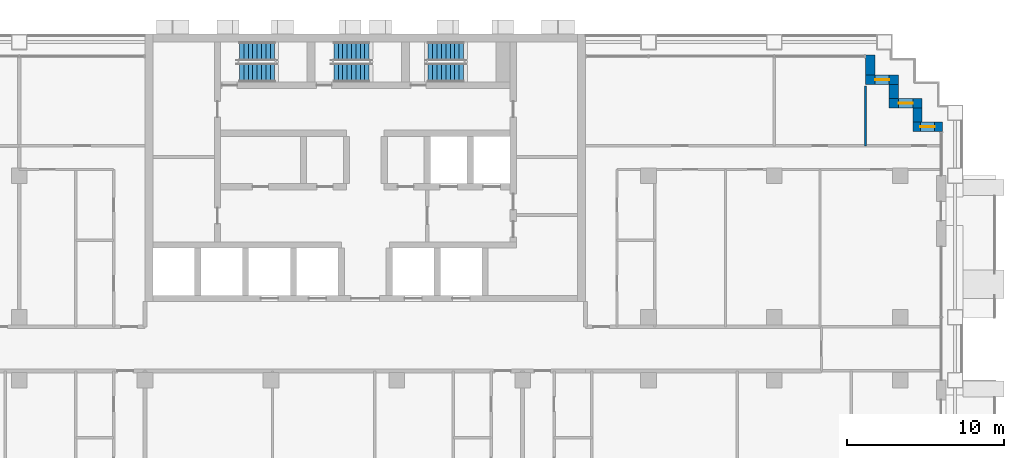
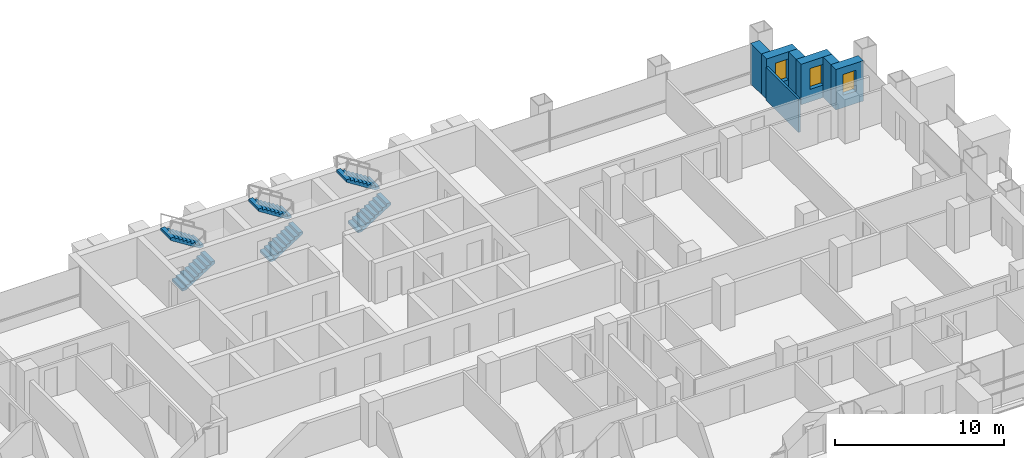
# One storey, part 14 of 18: 7 walls, 6 stair flights, 3 windows, 3 openings, 3 elements without a shape of their own.
"""IFC4 building model written with IfcOpenShell, lengths in metres."""

import ifcopenshell
import ifcopenshell.guid

model = None  # the IFC model being written
_history = None  # IfcOwnerHistory: only IFC2X3 demands one
_inside = {}  # id of a spatial element -> (the spatial element, [elements in it])
_under = {}  # id of a project, library or spatial element -> (it, [spatial elements below it])
_declared = {}  # id of a project -> (the project, [libraries it declares])
_typed = {}  # id of a type object -> (the type object, [elements of that type])
_made_of = {}  # id of a material, layer set ... -> (it, [elements and type objects made of it])


def new_model(schema):
    """Start an empty IFC model of exactly this schema.

    Asked for "IFC4X3", IfcOpenShell would pick the latest addendum, in which some entities
    have other attributes; the version numbers below select the first issue.
    IFC2X3 requires an IfcOwnerHistory on every rooted entity: one is made here for all.
    """
    global model, _history
    if schema == "IFC4X3":
        model = ifcopenshell.file(schema_version=(4, 3, 0, 0))
    else:
        model = ifcopenshell.file(schema=schema)
    _inside.clear()
    _under.clear()
    _declared.clear()
    _typed.clear()
    _made_of.clear()
    _history = None
    if model.schema == "IFC2X3":
        org = make("IfcOrganization", Name="unknown")
        user = make(
            "IfcPersonAndOrganization",
            ThePerson=make("IfcPerson", FamilyName="unknown"),
            TheOrganization=org,
        )
        app = make(
            "IfcApplication",
            ApplicationDeveloper=org,
            Version="unknown",
            ApplicationFullName="unknown",
            ApplicationIdentifier="unknown",
        )
        _history = make(
            "IfcOwnerHistory",
            OwningUser=user,
            OwningApplication=app,
            ChangeAction="ADDED",
            CreationDate=0,
        )
    return model


def make(cls, **values):
    """One entity of the class cls with the attributes given. An attribute that is None is left unset."""
    return model.create_entity(
        cls, **{name: value for name, value in values.items() if value is not None}
    )


def rooted(cls, **values):
    """An entity with a GlobalId (a new one), such as an element, a storey or a relation."""
    return make(cls, GlobalId=ifcopenshell.guid.new(), OwnerHistory=_history, **values)


def si_unit(unit_type, name, prefix=None):
    """IfcSIUnit, for example si_unit("LENGTHUNIT", "METRE", prefix="MILLI")."""
    return make("IfcSIUnit", UnitType=unit_type, Prefix=prefix, Name=name)


def assignment(units):
    """IfcUnitAssignment: the units of a project."""
    return None if units is None else make("IfcUnitAssignment", Units=units)


def point(xyz):
    """IfcCartesianPoint."""
    return None if xyz is None else make("IfcCartesianPoint", Coordinates=xyz)


def direction(xyz):
    """IfcDirection."""
    return None if xyz is None else make("IfcDirection", DirectionRatios=xyz)


def frame(location, z_axis=None, x_axis=None):
    """IfcAxis2Placement3D, a coordinate frame: its origin and axes. An axis left out is left unset."""
    return make(
        "IfcAxis2Placement3D",
        Location=point(location),
        Axis=direction(z_axis),
        RefDirection=direction(x_axis),
    )


def frame_2d(location, x_axis=None):
    """IfcAxis2Placement2D, a coordinate frame in the plane: its origin and x axis."""
    return make(
        "IfcAxis2Placement2D", Location=point(location), RefDirection=direction(x_axis)
    )


def origin():
    """The frame at (0, 0, 0) with its axes left unset."""
    return frame((0.0, 0.0, 0.0))


def place(relative_to, where):
    """IfcLocalPlacement: puts the frame where relative to a parent placement (None: the world)."""
    return make(
        "IfcLocalPlacement", PlacementRelTo=relative_to, RelativePlacement=where
    )


def context(
    kind, dimensions, precision=None, world=None, true_north=None, identifier=None
):
    """IfcGeometricRepresentationContext, for example the 3D "Model" context."""
    return make(
        "IfcGeometricRepresentationContext",
        ContextIdentifier=identifier,
        ContextType=kind,
        CoordinateSpaceDimension=dimensions,
        Precision=precision,
        WorldCoordinateSystem=world,
        TrueNorth=true_north,
    )


def subcontext(parent, identifier, kind, view, scale=None):
    """IfcGeometricRepresentationSubContext, for example "Body" below "Model"."""
    return make(
        "IfcGeometricRepresentationSubContext",
        ContextIdentifier=identifier,
        ContextType=kind,
        ParentContext=parent,
        TargetScale=scale,
        TargetView=view,
    )


def project(units=None, contexts=None):
    """IfcProject with its units and contexts."""
    return rooted(
        "IfcProject",
        Name="project",
        RepresentationContexts=contexts,
        UnitsInContext=assignment(units),
    )


def spatial(cls, under=None, at=None, **own):
    """A site, building, storey or space (cls), placed at a placement, below another one or the project."""
    s = rooted(cls, ObjectPlacement=at, **own)
    if under is not None:
        _under.setdefault(under.id(), (under, []))[1].append(s)
    return s


def polyline(points):
    """IfcPolyline through the points."""
    return make("IfcPolyline", Points=[point(p) for p in points])


def profile(cls, at=None, kind="AREA", **sizes):
    """A parametric profile (cls). Its sizes go by their IFC names, for example OverallWidth=200.0."""
    return make(cls, ProfileType=kind, Position=at, **sizes)


def rectangle(**sizes):
    """IfcRectangleProfileDef."""
    return profile("IfcRectangleProfileDef", **sizes)


def outline(outer, holes=None, kind="AREA"):
    """IfcArbitraryClosedProfileDef: a profile drawn as a closed curve; with holes, ...WithVoids."""
    if holes is None:
        return make("IfcArbitraryClosedProfileDef", ProfileType=kind, OuterCurve=outer)
    return make(
        "IfcArbitraryProfileDefWithVoids",
        ProfileType=kind,
        OuterCurve=outer,
        InnerCurves=holes,
    )


def extrude(swept, where, along, depth):
    """IfcExtrudedAreaSolid: the profile swept, set in the frame where, extruded along a direction by depth."""
    return make(
        "IfcExtrudedAreaSolid",
        SweptArea=swept,
        Position=where,
        ExtrudedDirection=direction(along),
        Depth=depth,
    )


def shape(context_of_items, identifier, shape_type, items):
    """IfcShapeRepresentation: the items that make up one representation, for example the "Body"."""
    return make(
        "IfcShapeRepresentation",
        ContextOfItems=context_of_items,
        RepresentationIdentifier=identifier,
        RepresentationType=shape_type,
        Items=items,
    )


def material(Name=None, Category=None):
    """IfcMaterial."""
    return make("IfcMaterial", Name=Name, Category=Category)


def layer(
    of_material, thickness, ventilated=None, Name=None, Category=None, Priority=None
):
    """IfcMaterialLayer: one layer of a wall or slab, of a material (None: an air gap)."""
    return make(
        "IfcMaterialLayer",
        Material=of_material,
        LayerThickness=thickness,
        IsVentilated=ventilated,
        Name=Name,
        Category=Category,
        Priority=Priority,
    )


def layer_set(layers, Name=None):
    """IfcMaterialLayerSet."""
    return make("IfcMaterialLayerSet", MaterialLayers=layers, LayerSetName=Name)


def made_of(thing, what):
    """Note that an element or type object is made of a material, layer set ...; save() writes the relation."""
    if what is not None:
        _made_of.setdefault(what.id(), (what, []))[1].append(thing)
    return thing


def type_object(cls, material=None, **own):
    """A type object (cls), such as IfcWallType, which elements share."""
    return made_of(rooted(cls, **own), material)


def element(
    cls,
    number,
    at=None,
    inside=None,
    cuts=None,
    type_object=None,
    material=None,
    context=None,
    identifier="Body",
    shape_type=None,
    held_by="IfcProductDefinitionShape",
    body=None,
    shapes=None,
    **own,
):
    """One element of the class cls, such as IfcWall. Its Tag is "e" and its number.

    at: its placement. inside: the storey or other place that contains it. cuts: it is an
    opening in that element (IfcRelVoidsElement). A single representation is given by context,
    identifier, shape_type and body (its items); several are given by shapes. held_by: the class
    of the entity that holds the representations. save() writes the other relations.
    """
    e = rooted(cls, Tag="e%d" % number, ObjectPlacement=at, **own)
    if body is not None:
        shapes = [shape(context, identifier, shape_type, body)]
    if shapes is not None:
        e.Representation = make(held_by, Representations=shapes)
    if inside is not None:
        _inside.setdefault(inside.id(), (inside, []))[1].append(e)
    if cuts is not None:
        rooted(
            "IfcRelVoidsElement", RelatingBuildingElement=cuts, RelatedOpeningElement=e
        )
    if type_object is not None:
        _typed.setdefault(type_object.id(), (type_object, []))[1].append(e)
    return made_of(e, material)


def fill(opening, filler):
    """IfcRelFillsElement: the door or window that sits in an opening."""
    return rooted(
        "IfcRelFillsElement",
        RelatingOpeningElement=opening,
        RelatedBuildingElement=filler,
    )


def aggregate(whole, parts):
    """IfcRelAggregates: a whole, such as a stair, and the parts it consists of."""
    return rooted("IfcRelAggregates", RelatingObject=whole, RelatedObjects=parts)


def save(model, path):
    """Write the relations noted so far, then the file.

    IfcRelAggregates (storeys below a building ...), IfcRelContainedInSpatialStructure (elements
    in a storey), IfcRelDefinesByType, IfcRelAssociatesMaterial and IfcRelDeclares: one each for
    every whole, place, type object, material and project.
    """
    for whole, parts in _under.values():
        aggregate(whole, parts)
    for where, things in _inside.values():
        rooted(
            "IfcRelContainedInSpatialStructure",
            RelatedElements=things,
            RelatingStructure=where,
        )
    for kind, things in _typed.values():
        rooted("IfcRelDefinesByType", RelatedObjects=things, RelatingType=kind)
    for what, things in _made_of.values():
        rooted("IfcRelAssociatesMaterial", RelatedObjects=things, RelatingMaterial=what)
    for by, libraries in _declared.values():
        rooted("IfcRelDeclares", RelatingContext=by, RelatedDefinitions=libraries)
    model.write(path)


model = new_model("IFC4")

# Units and contexts
model_context = context("Model", 3, precision=1e-05, world=origin(), true_north=direction((0.0, 1.0)))
body_context = subcontext(model_context, "Body", "Model", "MODEL_VIEW")
ifc_project = project(units=[si_unit("LENGTHUNIT", "METRE"), si_unit("AREAUNIT", "SQUARE_METRE"), si_unit("VOLUMEUNIT", "CUBIC_METRE"), si_unit("PLANEANGLEUNIT", "RADIAN"), si_unit("MASSUNIT", "GRAM", prefix="KILO")], contexts=[model_context])

# Site, building, storey
site_placement = place(None, origin())
site = spatial("IfcSite", under=ifc_project, at=site_placement, CompositionType="ELEMENT")
building_placement = place(site_placement, origin())
building = spatial("IfcBuilding", under=site, at=building_placement, Name="Vidyagriha Tower", CompositionType="ELEMENT")
storey_placement = place(building_placement, frame((0.0, 0.0, 54.39990234375)))
storey = spatial("IfcBuildingStorey", under=building, at=storey_placement, Name="L14", CompositionType="ELEMENT", Elevation=54.39990234375)

# Wall, opening, window
ifc_material_1 = material(Name="Precast concrete C40/50 with brick facing", Category="concrete")
ifc_layer_1 = layer(ifc_material_1, 0.60009765625)
ifc_layer_set_1 = layer_set([ifc_layer_1], Name="Precast concrete C40/50 with brick facing")
wall_type_1 = type_object("IfcWallType", Name="Brick-faced precast wall 600", PredefinedType="STANDARD", material=ifc_layer_set_1)
wall_1_placement = place(storey_placement, frame((36.679931640625, 14.10009765625, 0.0), z_axis=(0.0, 0.0, 1.0), x_axis=(-1.0, 0.0, 0.0)))
wall_1 = element("IfcWall", 1, at=wall_1_placement, inside=storey, type_object=wall_type_1, Name="Stepped corner wall L14 R01", PredefinedType="STANDARD", context=body_context, shape_type="SweptSolid", body=[
    extrude(rectangle(XDim=1.8798828125, YDim=0.60009765625, at=frame_2d((0.93994140625, 0.0))), origin(), (0.0, 0.0, 1.0), 2.920166015625),
])
opening_1_placement = place(wall_1_placement, frame((0.489990234375, 0.0, 0.89990234375)))
opening_1 = element("IfcOpeningElement", 2, at=opening_1_placement, cuts=wall_1, Name="Opening WN1", PredefinedType="OPENING", context=body_context, shape_type="SweptSolid", body=[
    extrude(rectangle(XDim=0.89990234375, YDim=1.5, at=frame_2d((0.449951171875, 0.75))), frame((0.0, 0.31005859375, 0.0), z_axis=(0.0, -1.0, 0.0), x_axis=(1.0, 0.0, 0.0)), (0.0, 0.0, 1.0), 0.6201171875),
])
ifc_material_2 = material(Name="Aluminium and glass window", Category="aluminium")
window_type = type_object("IfcWindowType", Name="Reveal window 900x1500", PartitioningType="NOTDEFINED", PredefinedType="WINDOW", material=ifc_material_2)
window_1_placement = place(opening_1_placement, origin())
window_1 = element("IfcWindow", 3, at=window_1_placement, inside=storey, type_object=window_type, Name="Reveal window L14 R01", OverallHeight=1.5, OverallWidth=0.89990234375, PartitioningType="SINGLE_PANEL", PredefinedType="WINDOW", context=body_context, shape_type="SweptSolid", body=[
    extrude(rectangle(XDim=0.89990234375, YDim=1.5, at=frame_2d((0.449951171875, 0.75))), frame((0.0, 0.030029296875, 0.0), z_axis=(0.0, -1.0, 0.0), x_axis=(1.0, 0.0, 0.0)), (0.0, 0.0, 1.0), 0.06005859375),
])
fill(opening_1, window_1)

# Wall
wall_2_placement = place(storey_placement, frame((35.10009765625, 14.39990234375, 0.0), z_axis=(0.0, 0.0, 1.0), x_axis=(0.0, 1.0, 0.0)))
element("IfcWall", 4, at=wall_2_placement, inside=storey, type_object=wall_type_1, Name="Stepped corner wall L14 R02", PredefinedType="STANDARD", context=body_context, shape_type="SweptSolid", body=[
    extrude(rectangle(XDim=0.900146484375, YDim=0.60009765625, at=frame_2d((0.4501953125, 0.0))), origin(), (0.0, 0.0, 1.0), 2.920166015625),
])

# Wall, opening, window
wall_3_placement = place(storey_placement, frame((35.39990234375, 15.60009765625, 0.0), z_axis=(0.0, 0.0, 1.0), x_axis=(-1.0, 0.0, 0.0)))
wall_3 = element("IfcWall", 5, at=wall_3_placement, inside=storey, type_object=wall_type_1, Name="Stepped corner wall L14 R03", PredefinedType="STANDARD", context=body_context, shape_type="SweptSolid", body=[
    extrude(rectangle(XDim=2.099853515625, YDim=0.60009765625, at=frame_2d((1.0498046875, 0.0))), origin(), (0.0, 0.0, 1.0), 2.920166015625),
])
opening_2_placement = place(wall_3_placement, frame((0.60009765625, 0.0, 0.89990234375)))
opening_2 = element("IfcOpeningElement", 6, at=opening_2_placement, cuts=wall_3, Name="Opening WN1", PredefinedType="OPENING", context=body_context, shape_type="SweptSolid", body=[
    extrude(rectangle(XDim=0.89990234375, YDim=1.5, at=frame_2d((0.449951171875, 0.75))), frame((0.0, 0.31005859375, 0.0), z_axis=(0.0, -1.0, 0.0), x_axis=(1.0, 0.0, 0.0)), (0.0, 0.0, 1.0), 0.6201171875),
])
window_2_placement = place(opening_2_placement, origin())
window_2 = element("IfcWindow", 7, at=window_2_placement, inside=storey, type_object=window_type, Name="Reveal window L14 R03", OverallHeight=1.5, OverallWidth=0.89990234375, PartitioningType="SINGLE_PANEL", PredefinedType="WINDOW", context=body_context, shape_type="SweptSolid", body=[
    extrude(rectangle(XDim=0.89990234375, YDim=1.5, at=frame_2d((0.449951171875, 0.75))), frame((0.0, 0.030029296875, 0.0), z_axis=(0.0, -1.0, 0.0), x_axis=(1.0, 0.0, 0.0)), (0.0, 0.0, 1.0), 0.06005859375),
])
fill(opening_2, window_2)

# Wall
wall_4_placement = place(storey_placement, frame((33.60009765625, 15.89990234375, 0.0), z_axis=(0.0, 0.0, 1.0), x_axis=(0.0, 1.0, 0.0)))
element("IfcWall", 8, at=wall_4_placement, inside=storey, type_object=wall_type_1, Name="Stepped corner wall L14 R04", PredefinedType="STANDARD", context=body_context, shape_type="SweptSolid", body=[
    extrude(rectangle(XDim=0.900146484375, YDim=0.60009765625, at=frame_2d((0.4501953125, 0.0))), origin(), (0.0, 0.0, 1.0), 2.920166015625),
])

# Wall, opening, window
wall_5_placement = place(storey_placement, frame((33.89990234375, 17.10009765625, 0.0), z_axis=(0.0, 0.0, 1.0), x_axis=(-1.0, 0.0, 0.0)))
wall_5 = element("IfcWall", 9, at=wall_5_placement, inside=storey, type_object=wall_type_1, Name="Stepped corner wall L14 R05", PredefinedType="STANDARD", context=body_context, shape_type="SweptSolid", body=[
    extrude(rectangle(XDim=2.099853515625, YDim=0.60009765625, at=frame_2d((1.0498046875, 0.0))), origin(), (0.0, 0.0, 1.0), 2.920166015625),
])
opening_3_placement = place(wall_5_placement, frame((0.60009765625, 0.0, 0.89990234375)))
opening_3 = element("IfcOpeningElement", 10, at=opening_3_placement, cuts=wall_5, Name="Opening WN1", PredefinedType="OPENING", context=body_context, shape_type="SweptSolid", body=[
    extrude(rectangle(XDim=0.89990234375, YDim=1.5, at=frame_2d((0.449951171875, 0.75))), frame((0.0, 0.31005859375, 0.0), z_axis=(0.0, -1.0, 0.0), x_axis=(1.0, 0.0, 0.0)), (0.0, 0.0, 1.0), 0.6201171875),
])
window_3_placement = place(opening_3_placement, origin())
window_3 = element("IfcWindow", 11, at=window_3_placement, inside=storey, type_object=window_type, Name="Reveal window L14 R05", OverallHeight=1.5, OverallWidth=0.89990234375, PartitioningType="SINGLE_PANEL", PredefinedType="WINDOW", context=body_context, shape_type="SweptSolid", body=[
    extrude(rectangle(XDim=0.89990234375, YDim=1.5, at=frame_2d((0.449951171875, 0.75))), frame((0.0, 0.030029296875, 0.0), z_axis=(0.0, -1.0, 0.0), x_axis=(1.0, 0.0, 0.0)), (0.0, 0.0, 1.0), 0.06005859375),
])
fill(opening_3, window_3)

# Walls
wall_6_placement = place(storey_placement, frame((32.10009765625, 17.39990234375, 0.0), z_axis=(0.0, 0.0, 1.0), x_axis=(0.0, 1.0, 0.0)))
element("IfcWall", 12, at=wall_6_placement, inside=storey, type_object=wall_type_1, Name="Stepped corner wall L14 R06", PredefinedType="STANDARD", context=body_context, shape_type="SweptSolid", body=[
    extrude(rectangle(XDim=1.280029296875, YDim=0.60009765625, at=frame_2d((0.64013671875, 0.0))), origin(), (0.0, 0.0, 1.0), 2.920166015625),
])
ifc_material_3 = material(Name="Gypsum board partition")
ifc_layer_2 = layer(ifc_material_3, 0.14990234375)
ifc_layer_set_2 = layer_set([ifc_layer_2], Name="Gypsum board partition")
wall_type_2 = type_object("IfcWallType", Name="Gypsum board partition 150", PredefinedType="PARTITIONING", material=ifc_layer_set_2)
wall_7_placement = place(storey_placement, frame((31.800048828125, 16.719970703125, 0.0), z_axis=(0.0, 0.0, 1.0), x_axis=(0.0, -1.0, 0.0)))
element("IfcWall", 13, at=wall_7_placement, inside=storey, type_object=wall_type_2, Name="Wall all-L14-w120", PredefinedType="PARTITIONING", context=body_context, shape_type="SweptSolid", body=[
    extrude(rectangle(XDim=3.820068359375, YDim=0.14990234375, at=frame_2d((1.91015625, 0.0))), origin(), (0.0, 0.0, 1.0), 2.400146484375),
])

# Stair, stair flights
ifc_material_4 = material(Name="Concrete C40/50", Category="concrete")
stair_type = type_object("IfcStairType", Name="Exit stair, half-turn, precast flights", PredefinedType="HALF_TURN_STAIR", material=ifc_material_4)
stair_1_placement = place(storey_placement, origin())
stair_1 = element("IfcStair", 14, at=stair_1_placement, inside=storey, type_object=stair_type, Name="L14 Exit Stair ST1", PredefinedType="HALF_TURN_STAIR")
ifc_material_5 = material(Name="Precast concrete C40/50", Category="concrete")
stair_flight_type = type_object("IfcStairFlightType", Name="Exit stair flight 1200 mm, precast", PredefinedType="STRAIGHT", material=ifc_material_5)
stair_flight_1_placement = place(storey_placement, frame((-8.0, 17.550048828125, 0.0)))
stair_flight_1 = element("IfcStairFlight", 15, at=stair_flight_1_placement, type_object=stair_flight_type, Name="ST1 flight 1", NumberOfRisers=9, NumberOfTreads=8, PredefinedType="STRAIGHT", RiserHeight=0.177777778, TreadLength=0.28, context=body_context, shape_type="SweptSolid", body=[
    extrude(outline(polyline([(0.0, 0.0), (0.0, 0.177734375), (0.280029296875, 0.177734375), (0.280029296875, 0.35546875), (0.56005859375, 0.35546875), (0.56005859375, 0.533447265625), (0.840087890625, 0.533447265625), (0.840087890625, 0.711181640625), (1.1201171875, 0.711181640625), (1.1201171875, 0.888916015625), (1.39990234375, 0.888916015625), (1.39990234375, 1.066650390625), (1.679931640625, 1.066650390625), (1.679931640625, 1.244384765625), (1.9599609375, 1.244384765625), (1.9599609375, 1.422119140625), (2.239990234375, 1.422119140625), (2.239990234375, 1.60009765625), (2.239990234375, 1.24462890625), (0.27978515625, 0.0), (0.0, 0.0)])), frame((0.0, 0.60009765625, 0.0), z_axis=(0.0, -1.0, 0.0), x_axis=(1.0, 0.0, 0.0)), (0.0, 0.0, 1.0), 1.199951171875),
])
stair_flight_2_placement = place(storey_placement, frame((-5.760009765625, 18.89990234375, 1.60009765625), z_axis=(0.0, 0.0, 1.0), x_axis=(-1.0, 0.0, 0.0)))
stair_flight_2 = element("IfcStairFlight", 16, at=stair_flight_2_placement, type_object=stair_flight_type, Name="ST1 flight 2", NumberOfRisers=9, NumberOfTreads=8, PredefinedType="STRAIGHT", RiserHeight=0.177777778, TreadLength=0.28, context=body_context, shape_type="SweptSolid", body=[
    extrude(outline(polyline([(0.0, 0.0), (0.0, 0.177734375), (0.280029296875, 0.177734375), (0.280029296875, 0.35546875), (0.56005859375, 0.35546875), (0.56005859375, 0.533447265625), (0.840087890625, 0.533447265625), (0.840087890625, 0.711181640625), (1.1201171875, 0.711181640625), (1.1201171875, 0.888916015625), (1.39990234375, 0.888916015625), (1.39990234375, 1.066650390625), (1.679931640625, 1.066650390625), (1.679931640625, 1.244384765625), (1.9599609375, 1.244384765625), (1.9599609375, 1.422119140625), (2.239990234375, 1.422119140625), (2.239990234375, 1.60009765625), (2.239990234375, 1.24462890625), (0.27978515625, 0.0), (0.0, 0.0)])), frame((0.0, 0.60009765625, 0.0), z_axis=(0.0, -1.0, 0.0), x_axis=(1.0, 0.0, 0.0)), (0.0, 0.0, 1.0), 1.199951171875),
])
aggregate(stair_1, [stair_flight_1, stair_flight_2])

stair_2_placement = place(storey_placement, origin())
stair_2 = element("IfcStair", 17, at=stair_2_placement, inside=storey, type_object=stair_type, Name="L14 Exit Stair ST2", PredefinedType="HALF_TURN_STAIR")
stair_flight_3_placement = place(storey_placement, frame((-2.0, 17.550048828125, 0.0)))
stair_flight_3 = element("IfcStairFlight", 18, at=stair_flight_3_placement, type_object=stair_flight_type, Name="ST2 flight 1", NumberOfRisers=9, NumberOfTreads=8, PredefinedType="STRAIGHT", RiserHeight=0.177777778, TreadLength=0.28, context=body_context, shape_type="SweptSolid", body=[
    extrude(outline(polyline([(0.0, 0.0), (0.0, 0.177734375), (0.280029296875, 0.177734375), (0.280029296875, 0.35546875), (0.56005859375, 0.35546875), (0.56005859375, 0.533447265625), (0.840087890625, 0.533447265625), (0.840087890625, 0.711181640625), (1.1201171875, 0.711181640625), (1.1201171875, 0.888916015625), (1.39990234375, 0.888916015625), (1.39990234375, 1.066650390625), (1.679931640625, 1.066650390625), (1.679931640625, 1.244384765625), (1.9599609375, 1.244384765625), (1.9599609375, 1.422119140625), (2.239990234375, 1.422119140625), (2.239990234375, 1.60009765625), (2.239990234375, 1.24462890625), (0.27978515625, 0.0), (0.0, 0.0)])), frame((0.0, 0.60009765625, 0.0), z_axis=(0.0, -1.0, 0.0), x_axis=(1.0, 0.0, 0.0)), (0.0, 0.0, 1.0), 1.199951171875),
])
stair_flight_4_placement = place(storey_placement, frame((0.239990234375, 18.89990234375, 1.60009765625), z_axis=(0.0, 0.0, 1.0), x_axis=(-1.0, 0.0, 0.0)))
stair_flight_4 = element("IfcStairFlight", 19, at=stair_flight_4_placement, type_object=stair_flight_type, Name="ST2 flight 2", NumberOfRisers=9, NumberOfTreads=8, PredefinedType="STRAIGHT", RiserHeight=0.177777778, TreadLength=0.28, context=body_context, shape_type="SweptSolid", body=[
    extrude(outline(polyline([(0.0, 0.0), (0.0, 0.177734375), (0.280029296875, 0.177734375), (0.280029296875, 0.35546875), (0.56005859375, 0.35546875), (0.56005859375, 0.533447265625), (0.840087890625, 0.533447265625), (0.840087890625, 0.711181640625), (1.1201171875, 0.711181640625), (1.1201171875, 0.888916015625), (1.39990234375, 0.888916015625), (1.39990234375, 1.066650390625), (1.679931640625, 1.066650390625), (1.679931640625, 1.244384765625), (1.9599609375, 1.244384765625), (1.9599609375, 1.422119140625), (2.239990234375, 1.422119140625), (2.239990234375, 1.60009765625), (2.239990234375, 1.24462890625), (0.27978515625, 0.0), (0.0, 0.0)])), frame((0.0, 0.60009765625, 0.0), z_axis=(0.0, -1.0, 0.0), x_axis=(1.0, 0.0, 0.0)), (0.0, 0.0, 1.0), 1.199951171875),
])
aggregate(stair_2, [stair_flight_3, stair_flight_4])

stair_3_placement = place(storey_placement, origin())
stair_3 = element("IfcStair", 20, at=stair_3_placement, inside=storey, type_object=stair_type, Name="L14 Exit Stair ST3", PredefinedType="HALF_TURN_STAIR")
stair_flight_5_placement = place(storey_placement, frame((4.0, 17.550048828125, 0.0)))
stair_flight_5 = element("IfcStairFlight", 21, at=stair_flight_5_placement, type_object=stair_flight_type, Name="ST3 flight 1", NumberOfRisers=9, NumberOfTreads=8, PredefinedType="STRAIGHT", RiserHeight=0.177777778, TreadLength=0.28, context=body_context, shape_type="SweptSolid", body=[
    extrude(outline(polyline([(0.0, 0.0), (0.0, 0.177734375), (0.280029296875, 0.177734375), (0.280029296875, 0.35546875), (0.56005859375, 0.35546875), (0.56005859375, 0.533447265625), (0.840087890625, 0.533447265625), (0.840087890625, 0.711181640625), (1.1201171875, 0.711181640625), (1.1201171875, 0.888916015625), (1.39990234375, 0.888916015625), (1.39990234375, 1.066650390625), (1.679931640625, 1.066650390625), (1.679931640625, 1.244384765625), (1.9599609375, 1.244384765625), (1.9599609375, 1.422119140625), (2.239990234375, 1.422119140625), (2.239990234375, 1.60009765625), (2.239990234375, 1.24462890625), (0.27978515625, 0.0), (0.0, 0.0)])), frame((0.0, 0.60009765625, 0.0), z_axis=(0.0, -1.0, 0.0), x_axis=(1.0, 0.0, 0.0)), (0.0, 0.0, 1.0), 1.199951171875),
])
stair_flight_6_placement = place(storey_placement, frame((6.239990234375, 18.89990234375, 1.60009765625), z_axis=(0.0, 0.0, 1.0), x_axis=(-1.0, 0.0, 0.0)))
stair_flight_6 = element("IfcStairFlight", 22, at=stair_flight_6_placement, type_object=stair_flight_type, Name="ST3 flight 2", NumberOfRisers=9, NumberOfTreads=8, PredefinedType="STRAIGHT", RiserHeight=0.177777778, TreadLength=0.28, context=body_context, shape_type="SweptSolid", body=[
    extrude(outline(polyline([(0.0, 0.0), (0.0, 0.177734375), (0.280029296875, 0.177734375), (0.280029296875, 0.35546875), (0.56005859375, 0.35546875), (0.56005859375, 0.533447265625), (0.840087890625, 0.533447265625), (0.840087890625, 0.711181640625), (1.1201171875, 0.711181640625), (1.1201171875, 0.888916015625), (1.39990234375, 0.888916015625), (1.39990234375, 1.066650390625), (1.679931640625, 1.066650390625), (1.679931640625, 1.244384765625), (1.9599609375, 1.244384765625), (1.9599609375, 1.422119140625), (2.239990234375, 1.422119140625), (2.239990234375, 1.60009765625), (2.239990234375, 1.24462890625), (0.27978515625, 0.0), (0.0, 0.0)])), frame((0.0, 0.60009765625, 0.0), z_axis=(0.0, -1.0, 0.0), x_axis=(1.0, 0.0, 0.0)), (0.0, 0.0, 1.0), 1.199951171875),
])
aggregate(stair_3, [stair_flight_5, stair_flight_6])

save(model, "model.ifc")
